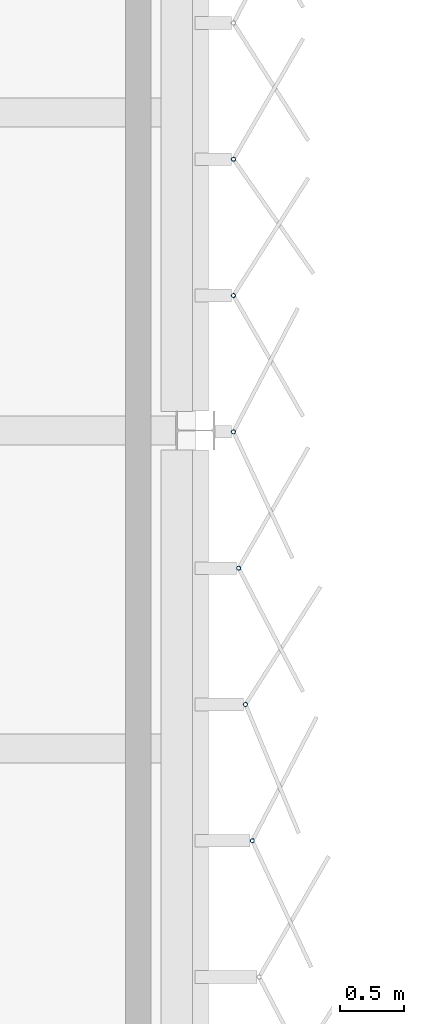
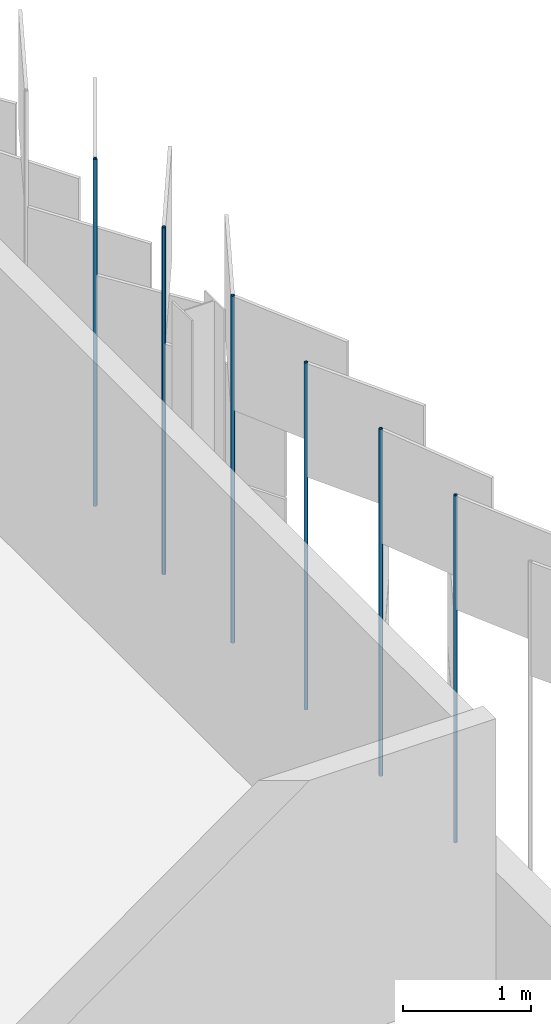
# One storey, part 92 of 198: 6 discrete accessories.
"""IFC4 building model written with IfcOpenShell, lengths in metres."""

import ifcopenshell
import ifcopenshell.guid

model = None  # the IFC model being written
_history = None  # IfcOwnerHistory: only IFC2X3 demands one
_inside = {}  # id of a spatial element -> (the spatial element, [elements in it])
_under = {}  # id of a project, library or spatial element -> (it, [spatial elements below it])
_declared = {}  # id of a project -> (the project, [libraries it declares])
_typed = {}  # id of a type object -> (the type object, [elements of that type])
_made_of = {}  # id of a material, layer set ... -> (it, [elements and type objects made of it])


def new_model(schema):
    """Start an empty IFC model of exactly this schema.

    Asked for "IFC4X3", IfcOpenShell would pick the latest addendum, in which some entities
    have other attributes; the version numbers below select the first issue.
    IFC2X3 requires an IfcOwnerHistory on every rooted entity: one is made here for all.
    """
    global model, _history
    if schema == "IFC4X3":
        model = ifcopenshell.file(schema_version=(4, 3, 0, 0))
    else:
        model = ifcopenshell.file(schema=schema)
    _inside.clear()
    _under.clear()
    _declared.clear()
    _typed.clear()
    _made_of.clear()
    _history = None
    if model.schema == "IFC2X3":
        org = make("IfcOrganization", Name="unknown")
        user = make(
            "IfcPersonAndOrganization",
            ThePerson=make("IfcPerson", FamilyName="unknown"),
            TheOrganization=org,
        )
        app = make(
            "IfcApplication",
            ApplicationDeveloper=org,
            Version="unknown",
            ApplicationFullName="unknown",
            ApplicationIdentifier="unknown",
        )
        _history = make(
            "IfcOwnerHistory",
            OwningUser=user,
            OwningApplication=app,
            ChangeAction="ADDED",
            CreationDate=0,
        )
    return model


def make(cls, **values):
    """One entity of the class cls with the attributes given. An attribute that is None is left unset."""
    return model.create_entity(
        cls, **{name: value for name, value in values.items() if value is not None}
    )


def rooted(cls, **values):
    """An entity with a GlobalId (a new one), such as an element, a storey or a relation."""
    return make(cls, GlobalId=ifcopenshell.guid.new(), OwnerHistory=_history, **values)


def si_unit(unit_type, name, prefix=None):
    """IfcSIUnit, for example si_unit("LENGTHUNIT", "METRE", prefix="MILLI")."""
    return make("IfcSIUnit", UnitType=unit_type, Prefix=prefix, Name=name)


def assignment(units):
    """IfcUnitAssignment: the units of a project."""
    return None if units is None else make("IfcUnitAssignment", Units=units)


def point(xyz):
    """IfcCartesianPoint."""
    return None if xyz is None else make("IfcCartesianPoint", Coordinates=xyz)


def direction(xyz):
    """IfcDirection."""
    return None if xyz is None else make("IfcDirection", DirectionRatios=xyz)


def frame(location, z_axis=None, x_axis=None):
    """IfcAxis2Placement3D, a coordinate frame: its origin and axes. An axis left out is left unset."""
    return make(
        "IfcAxis2Placement3D",
        Location=point(location),
        Axis=direction(z_axis),
        RefDirection=direction(x_axis),
    )


def frame_2d(location, x_axis=None):
    """IfcAxis2Placement2D, a coordinate frame in the plane: its origin and x axis."""
    return make(
        "IfcAxis2Placement2D", Location=point(location), RefDirection=direction(x_axis)
    )


def origin():
    """The frame at (0, 0, 0) with its axes left unset."""
    return frame((0.0, 0.0, 0.0))


def origin_2d():
    """The frame at (0, 0) in the plane with its x axis left unset."""
    return frame_2d((0.0, 0.0))


def place(relative_to, where):
    """IfcLocalPlacement: puts the frame where relative to a parent placement (None: the world)."""
    return make(
        "IfcLocalPlacement", PlacementRelTo=relative_to, RelativePlacement=where
    )


def context(
    kind, dimensions, precision=None, world=None, true_north=None, identifier=None
):
    """IfcGeometricRepresentationContext, for example the 3D "Model" context."""
    return make(
        "IfcGeometricRepresentationContext",
        ContextIdentifier=identifier,
        ContextType=kind,
        CoordinateSpaceDimension=dimensions,
        Precision=precision,
        WorldCoordinateSystem=world,
        TrueNorth=true_north,
    )


def subcontext(parent, identifier, kind, view, scale=None):
    """IfcGeometricRepresentationSubContext, for example "Body" below "Model"."""
    return make(
        "IfcGeometricRepresentationSubContext",
        ContextIdentifier=identifier,
        ContextType=kind,
        ParentContext=parent,
        TargetScale=scale,
        TargetView=view,
    )


def project(units=None, contexts=None):
    """IfcProject with its units and contexts."""
    return rooted(
        "IfcProject",
        Name="project",
        RepresentationContexts=contexts,
        UnitsInContext=assignment(units),
    )


def spatial(cls, under=None, at=None, **own):
    """A site, building, storey or space (cls), placed at a placement, below another one or the project."""
    s = rooted(cls, ObjectPlacement=at, **own)
    if under is not None:
        _under.setdefault(under.id(), (under, []))[1].append(s)
    return s


def profile(cls, at=None, kind="AREA", **sizes):
    """A parametric profile (cls). Its sizes go by their IFC names, for example OverallWidth=200.0."""
    return make(cls, ProfileType=kind, Position=at, **sizes)


def hollow_circle(**sizes):
    """IfcCircleHollowProfileDef."""
    return profile("IfcCircleHollowProfileDef", **sizes)


def extrude(swept, where, along, depth):
    """IfcExtrudedAreaSolid: the profile swept, set in the frame where, extruded along a direction by depth."""
    return make(
        "IfcExtrudedAreaSolid",
        SweptArea=swept,
        Position=where,
        ExtrudedDirection=direction(along),
        Depth=depth,
    )


def shape(context_of_items, identifier, shape_type, items):
    """IfcShapeRepresentation: the items that make up one representation, for example the "Body"."""
    return make(
        "IfcShapeRepresentation",
        ContextOfItems=context_of_items,
        RepresentationIdentifier=identifier,
        RepresentationType=shape_type,
        Items=items,
    )


def material(Name=None, Category=None):
    """IfcMaterial."""
    return make("IfcMaterial", Name=Name, Category=Category)


def material_profile(
    of_material, cross_section, Name=None, Category=None, Priority=None
):
    """IfcMaterialProfile: a cross section and its material."""
    return make(
        "IfcMaterialProfile",
        Name=Name,
        Material=of_material,
        Profile=cross_section,
        Priority=Priority,
        Category=Category,
    )


def profile_set(profiles, Name=None, composite=None):
    """IfcMaterialProfileSet."""
    return make(
        "IfcMaterialProfileSet",
        Name=Name,
        MaterialProfiles=profiles,
        CompositeProfile=composite,
    )


def made_of(thing, what):
    """Note that an element or type object is made of a material, layer set ...; save() writes the relation."""
    if what is not None:
        _made_of.setdefault(what.id(), (what, []))[1].append(thing)
    return thing


def type_object(cls, material=None, **own):
    """A type object (cls), such as IfcWallType, which elements share."""
    return made_of(rooted(cls, **own), material)


def element(
    cls,
    number,
    at=None,
    inside=None,
    cuts=None,
    type_object=None,
    material=None,
    context=None,
    identifier="Body",
    shape_type=None,
    held_by="IfcProductDefinitionShape",
    body=None,
    shapes=None,
    **own,
):
    """One element of the class cls, such as IfcWall. Its Tag is "e" and its number.

    at: its placement. inside: the storey or other place that contains it. cuts: it is an
    opening in that element (IfcRelVoidsElement). A single representation is given by context,
    identifier, shape_type and body (its items); several are given by shapes. held_by: the class
    of the entity that holds the representations. save() writes the other relations.
    """
    e = rooted(cls, Tag="e%d" % number, ObjectPlacement=at, **own)
    if body is not None:
        shapes = [shape(context, identifier, shape_type, body)]
    if shapes is not None:
        e.Representation = make(held_by, Representations=shapes)
    if inside is not None:
        _inside.setdefault(inside.id(), (inside, []))[1].append(e)
    if cuts is not None:
        rooted(
            "IfcRelVoidsElement", RelatingBuildingElement=cuts, RelatedOpeningElement=e
        )
    if type_object is not None:
        _typed.setdefault(type_object.id(), (type_object, []))[1].append(e)
    return made_of(e, material)


def aggregate(whole, parts):
    """IfcRelAggregates: a whole, such as a stair, and the parts it consists of."""
    return rooted("IfcRelAggregates", RelatingObject=whole, RelatedObjects=parts)


def save(model, path):
    """Write the relations noted so far, then the file.

    IfcRelAggregates (storeys below a building ...), IfcRelContainedInSpatialStructure (elements
    in a storey), IfcRelDefinesByType, IfcRelAssociatesMaterial and IfcRelDeclares: one each for
    every whole, place, type object, material and project.
    """
    for whole, parts in _under.values():
        aggregate(whole, parts)
    for where, things in _inside.values():
        rooted(
            "IfcRelContainedInSpatialStructure",
            RelatedElements=things,
            RelatingStructure=where,
        )
    for kind, things in _typed.values():
        rooted("IfcRelDefinesByType", RelatedObjects=things, RelatingType=kind)
    for what, things in _made_of.values():
        rooted("IfcRelAssociatesMaterial", RelatedObjects=things, RelatingMaterial=what)
    for by, libraries in _declared.values():
        rooted("IfcRelDeclares", RelatingContext=by, RelatedDefinitions=libraries)
    model.write(path)


model = new_model("IFC4")

# Units and contexts
model_context = context("Model", 3, precision=1e-05, world=origin(), true_north=direction((0.0, 1.0)))
body_context = subcontext(model_context, "Body", "Model", "MODEL_VIEW")
ifc_project = project(units=[si_unit("LENGTHUNIT", "METRE"), si_unit("AREAUNIT", "SQUARE_METRE"), si_unit("VOLUMEUNIT", "CUBIC_METRE"), si_unit("PLANEANGLEUNIT", "RADIAN"), si_unit("MASSUNIT", "GRAM", prefix="KILO")], contexts=[model_context])

# Site, building, storey
site_placement = place(None, origin())
site = spatial("IfcSite", under=ifc_project, at=site_placement, CompositionType="ELEMENT")
building_placement = place(site_placement, origin())
building = spatial("IfcBuilding", under=site, at=building_placement, Name="Parallax Yard Mobility Hub", CompositionType="ELEMENT")
storey_placement = place(building_placement, frame((0.0, 0.0, 6.60009765625)))
storey = spatial("IfcBuildingStorey", under=building, at=storey_placement, Name="L02", CompositionType="ELEMENT", Elevation=6.60009765625)

# Discrete accessories
ifc_material = material(Name="Steel ASTM A500 Gr C, hot-dip galvanised", Category="steel")
ifc_material_profile = material_profile(ifc_material, hollow_circle(Radius=0.016845703125, WallThickness=0.003173828125, at=origin_2d()), Name="CHS 33.7x3.2")
ifc_profile_set = profile_set([ifc_material_profile], Name="Steel ASTM A500 Gr C, hot-dip galvanised")
discrete_accessory_type = type_object("IfcDiscreteAccessoryType", Name="Hinge post CHS 33.7x3.2", PredefinedType="BRACKET", material=ifc_profile_set)
for number, where, z_axis, x_axis, name in (
    (1, (225.4482421875, 41.774658203125, 0.0), (0.0, 0.0, 1.0), (1.0, 0.0, 0.0), "Hinge post bay 34.5 level L02"),
    (2, (225.39453125, 42.84619140625, 0.0), (0.0, 0.0, 1.0), (1.0, 0.0, 0.0), "Hinge post bay 34.6 level L02"),
    (3, (225.341064453125, 43.91796875, 0.0), (0.0, 0.0, 1.0), (1.0, 0.0, 0.0), "Hinge post bay 34.7 level L02"),
    (4, (225.300048828125, 44.98974609375, 0.0), (0.0, 0.0, 1.0), (1.0, 0.0, 0.0), "Hinge post bay 35.1 level L02"),
    (5, (225.300048828125, 46.0615234375, 0.0), (0.0, 0.0, 1.0), (1.0, 0.0, 0.0), "Hinge post bay 35.2 level L02"),
    (6, (225.300048828125, 47.13330078125, 0.0), (0.0, 0.0, 1.0), (1.0, 0.0, 0.0), "Hinge post bay 35.3 level L02"),
):
    element("IfcDiscreteAccessory", number, at=place(storey_placement, frame(where, z_axis=z_axis, x_axis=x_axis)), inside=storey, type_object=discrete_accessory_type, Name=name, PredefinedType="BRACKET", context=body_context, shape_type="SweptSolid", body=[
        extrude(hollow_circle(Radius=0.016845703125, WallThickness=0.003173828125, at=origin_2d()), origin(), (0.0, 0.0, 1.0), 3.2998046875),
    ])

save(model, "model.ifc")
